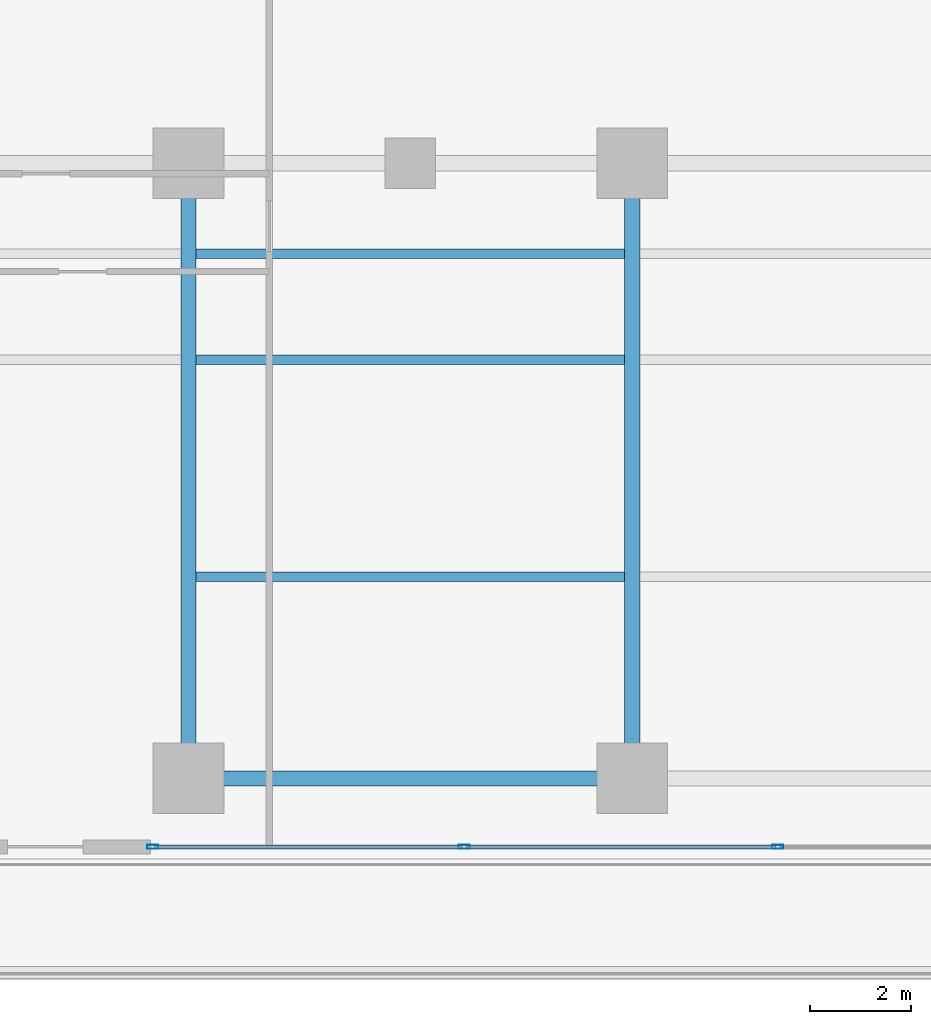
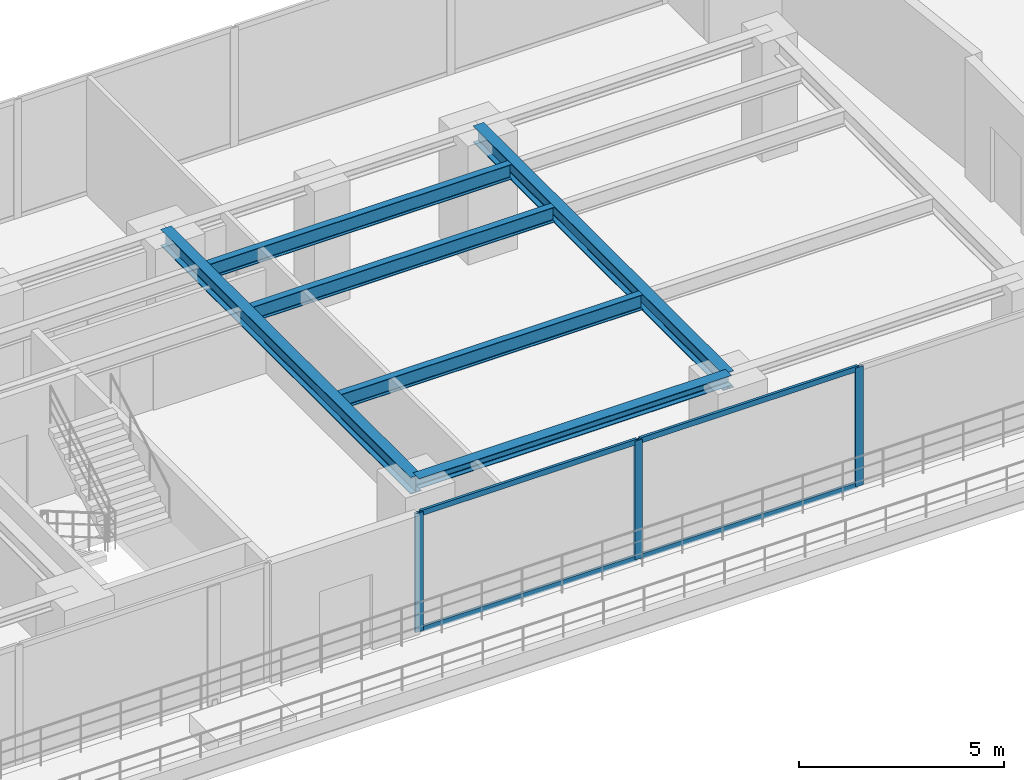
# One storey, part 9 of 26: 7 members, 6 beams, 1 element without a shape of its own.
"""IFC4 building model written with IfcOpenShell, lengths in metres."""

from ifc_helpers import new_model, si_unit, direction, frame, origin, origin_with_axes, origin_2d, place, context, subcontext, project, spatial, hollow_rectangle, i_section, extrude, source, transform, mapped, material, layer, layer_set, material_profile, profile_set, type_object, element, aggregate, save


model = new_model("IFC4")

# Units and contexts
model_context = context("Model", 3, precision=1e-05, world=origin(), true_north=direction((0.0, 1.0)))
body_context = subcontext(model_context, "Body", "Model", "MODEL_VIEW")
ifc_project = project(units=[si_unit("LENGTHUNIT", "METRE"), si_unit("AREAUNIT", "SQUARE_METRE"), si_unit("VOLUMEUNIT", "CUBIC_METRE"), si_unit("PLANEANGLEUNIT", "RADIAN"), si_unit("MASSUNIT", "GRAM", prefix="KILO")], contexts=[model_context])

# Site, building, storey
site_placement = place(None, origin())
site = spatial("IfcSite", under=ifc_project, at=site_placement, CompositionType="ELEMENT")
building_placement = place(site_placement, origin())
building = spatial("IfcBuilding", under=site, at=building_placement, Name="Kolvaren Waterfront Exchange", CompositionType="ELEMENT")
storey_placement = place(building_placement, frame((0.0, 0.0, 87.89990234375)))
storey = spatial("IfcBuildingStorey", under=building, at=storey_placement, Name="L22", CompositionType="ELEMENT", Elevation=87.89990234375)

# Beams
ifc_material_1 = material(Name="Steel S355", Category="steel")
ifc_material_profile_1 = material_profile(ifc_material_1, i_section(OverallWidth=0.300048828125, OverallDepth=0.300048828125, WebThickness=0.010986328125, FlangeThickness=0.01904296875, FilletRadius=0.027099609375, at=origin_2d()), Name="HEB300")
ifc_profile_set_1 = profile_set([ifc_material_profile_1], Name="Steel S355")
beam_type_1 = type_object("IfcBeamType", Name="STR-BM-HEB300", PredefinedType="SPANDREL", material=ifc_profile_set_1)
beam_placement = place(storey_placement, frame((36.800048828125, 5.199951171875, 3.39013671875), z_axis=(1.0, 0.0, 0.0), x_axis=(0.0, 1.0, 0.0)))
element("IfcBeam", 1, at=beam_placement, inside=storey, type_object=beam_type_1, Name="L22 east-arm spandrel S3", PredefinedType="SPANDREL", context=body_context, shape_type="SweptSolid", body=[
    extrude(i_section(OverallWidth=0.300048828125, OverallDepth=0.300048828125, WebThickness=0.010986328125, FlangeThickness=0.01904296875, FilletRadius=0.027099609375, at=origin_2d()), origin(), (0.0, 0.0, 1.0), 8.800048828125),
])
ifc_material_profile_2 = material_profile(ifc_material_1, i_section(OverallWidth=0.300048828125, OverallDepth=0.5, WebThickness=0.014404296875, FlangeThickness=0.028076171875, FilletRadius=0.027099609375, at=origin_2d()), Name="HEB500")
ifc_profile_set_2 = profile_set([ifc_material_profile_2], Name="Steel S355")
beam_type_2 = type_object("IfcBeamType", Name="STR-BM-HEB500", PredefinedType="BEAM", material=ifc_profile_set_2)
for number, where, z_axis, x_axis, name in (
    (2, (36.800048828125, 5.199951171875, 3.2900390625), (0.0, 1.0, 0.0), (-1.0, 0.0, 0.0), "L22 east-arm transverse girder X36"),
    (3, (45.60009765625, 5.199951171875, 3.2900390625), (0.0, 1.0, 0.0), (-1.0, 0.0, 0.0), "L22 east-arm transverse girder X45"),
):
    element("IfcBeam", number, at=place(storey_placement, frame(where, z_axis=z_axis, x_axis=x_axis)), inside=storey, type_object=beam_type_2, Name=name, PredefinedType="BEAM", context=body_context, shape_type="SweptSolid", body=[
        extrude(i_section(OverallWidth=0.300048828125, OverallDepth=0.5, WebThickness=0.014404296875, FlangeThickness=0.028076171875, FilletRadius=0.027099609375, at=origin_2d()), origin(), (0.0, 0.0, 1.0), 12.199951171875),
    ])
ifc_material_profile_3 = material_profile(ifc_material_1, i_section(OverallWidth=0.18994140625, OverallDepth=0.449951171875, WebThickness=0.009521484375, FlangeThickness=0.0146484375, FilletRadius=0.02099609375, at=origin_2d()), Name="IPE450")
ifc_profile_set_3 = profile_set([ifc_material_profile_3], Name="Steel S355")
beam_type_3 = type_object("IfcBeamType", Name="STR-BM-IPE450", PredefinedType="JOIST", material=ifc_profile_set_3)
for number, where, z_axis, x_axis, name in (
    (4, (36.951904296875, 13.5, 3.315185546875), (1.0, 0.0, 0.0), (0.0, 1.0, 0.0), "L22 east-arm composite joist 3A"),
    (5, (36.951904296875, 15.60009765625, 3.315185546875), (1.0, 0.0, 0.0), (0.0, 1.0, 0.0), "L22 east-arm composite joist 3C"),
    (6, (36.951904296875, 9.199951171875, 3.315185546875), (1.0, 0.0, 0.0), (0.0, 1.0, 0.0), "L22 east-arm composite joist 3B"),
):
    element("IfcBeam", number, at=place(storey_placement, frame(where, z_axis=z_axis, x_axis=x_axis)), inside=storey, type_object=beam_type_3, Name=name, PredefinedType="JOIST", context=body_context, shape_type="SweptSolid", body=[
        extrude(i_section(OverallWidth=0.18994140625, OverallDepth=0.449951171875, WebThickness=0.009521484375, FlangeThickness=0.0146484375, FilletRadius=0.02099609375, at=origin_2d()), origin(), (0.0, 0.0, 1.0), 8.49609375),
    ])

# Curtain wall, members
ifc_material_2 = material(Name="Anodised bronze aluminium 6063-T6", Category="aluminium")
ifc_layer = layer(ifc_material_2, 0.219970703125, Name="Anodised bronze aluminium 6063-T6")
ifc_layer_set = layer_set([ifc_layer], Name="Anodised bronze aluminium 6063-T6")
curtain_wall_type = type_object("IfcCurtainWallType", Name="ARC-CW-SYS1", PredefinedType="USERDEFINED", material=ifc_layer_set)
curtain_wall_placement = place(storey_placement, origin())
curtain_wall = element("IfcCurtainWall", 7, at=curtain_wall_placement, inside=storey, type_object=curtain_wall_type, Name="L22 stick curtain wall CW1 (CW-L22-S-2)", ObjectType="STICK CURTAIN WALL", PredefinedType="USERDEFINED")
ifc_material_3 = material(Name="Anodised aluminium 6063-T6", Category="aluminium")
ifc_material_profile_4 = material_profile(ifc_material_3, hollow_rectangle(XDim=0.080078125, YDim=0.219970703125, WallThickness=0.0048828125, at=origin_2d()), Name="ALU-MUL-220x80x5")
ifc_profile_set_4 = profile_set([ifc_material_profile_4], Name="Anodised aluminium 6063-T6")
member_type_1 = type_object("IfcMemberType", Name="ARC-CWM-220", PredefinedType="MULLION", material=ifc_profile_set_4)
shared_shape_1 = source(origin_with_axes(), body_context, "Body", "SweptSolid", [
    extrude(hollow_rectangle(XDim=0.080078125, YDim=0.219970703125, WallThickness=0.0048828125, at=origin_2d()), origin(), (0.0, 0.0, 1.0), 3.5400390625),
])
member_1_placement = place(storey_placement, frame((36.090087890625, 3.840087890625, 0.0), z_axis=(0.0, 0.0, 1.0), x_axis=(0.0, 1.0, 0.0)))
member_1 = element("IfcMember", 8, at=member_1_placement, type_object=member_type_1, Name="CW1 mullion 1", PredefinedType="MULLION", context=body_context, shape_type="MappedRepresentation", body=[
    mapped(shared_shape_1, transform((0.0, 0.0, 0.0), x_axis=(1.0, 0.0, 0.0), y_axis=(0.0, 1.0, 0.0), z_axis=(0.0, 0.0, 1.0), scale=1.0)),
])
member_2_placement = place(storey_placement, frame((42.2666015625, 3.840087890625, 0.0), z_axis=(0.0, 0.0, 1.0), x_axis=(0.0, 1.0, 0.0)))
member_2 = element("IfcMember", 9, at=member_2_placement, type_object=member_type_1, Name="CW1 mullion 2", PredefinedType="MULLION", context=body_context, shape_type="MappedRepresentation", body=[
    mapped(shared_shape_1, transform((0.0, 0.0, 0.0), x_axis=(1.0, 0.0, 0.0), y_axis=(0.0, 1.0, 0.0), z_axis=(0.0, 0.0, 1.0), scale=1.0)),
])
member_3_placement = place(storey_placement, frame((48.4833984375, 3.840087890625, 0.0), z_axis=(0.0, 0.0, 1.0), x_axis=(0.0, 1.0, 0.0)))
member_3 = element("IfcMember", 10, at=member_3_placement, type_object=member_type_1, Name="CW1 mullion 3", PredefinedType="MULLION", context=body_context, shape_type="MappedRepresentation", body=[
    mapped(shared_shape_1, transform((0.0, 0.0, 0.0), x_axis=(1.0, 0.0, 0.0), y_axis=(0.0, 1.0, 0.0), z_axis=(0.0, 0.0, 1.0), scale=1.0)),
])
ifc_material_profile_5 = material_profile(ifc_material_3, hollow_rectangle(XDim=0.074951171875, YDim=0.159912109375, WallThickness=0.00439453125, at=origin_2d()), Name="ALU-TRN-160x75x4.5")
ifc_profile_set_5 = profile_set([ifc_material_profile_5], Name="Anodised aluminium 6063-T6")
member_type_2 = type_object("IfcMemberType", Name="ARC-CWT-160", PredefinedType="USERDEFINED", material=ifc_profile_set_5)
shared_shape_2 = source(origin_with_axes(), body_context, "Body", "SweptSolid", [
    extrude(hollow_rectangle(XDim=0.074951171875, YDim=0.159912109375, WallThickness=0.00439453125, at=origin_2d()), origin(), (0.0, 0.0, 1.0), 6.0966796875),
])
member_4_placement = place(storey_placement, frame((36.1298828125, 3.840087890625, 0.03759765625), z_axis=(1.0, 0.0, 0.0), x_axis=(0.0, 1.0, 0.0)))
member_4 = element("IfcMember", 11, at=member_4_placement, type_object=member_type_2, Name="CW1 transom 1.1", ObjectType="TRANSOM", PredefinedType="USERDEFINED", context=body_context, shape_type="MappedRepresentation", body=[
    mapped(shared_shape_2, transform((0.0, 0.0, 0.0), x_axis=(1.0, 0.0, 0.0), y_axis=(0.0, 1.0, 0.0), z_axis=(0.0, 0.0, 1.0), scale=1.0)),
])
member_5_placement = place(storey_placement, frame((36.1298828125, 3.840087890625, 3.502685546875), z_axis=(1.0, 0.0, 0.0), x_axis=(0.0, 1.0, 0.0)))
member_5 = element("IfcMember", 12, at=member_5_placement, type_object=member_type_2, Name="CW1 transom 1.2", ObjectType="TRANSOM", PredefinedType="USERDEFINED", context=body_context, shape_type="MappedRepresentation", body=[
    mapped(shared_shape_2, transform((0.0, 0.0, 0.0), x_axis=(1.0, 0.0, 0.0), y_axis=(0.0, 1.0, 0.0), z_axis=(0.0, 0.0, 1.0), scale=1.0)),
])
shared_shape_3 = source(origin_with_axes(), body_context, "Body", "SweptSolid", [
    extrude(hollow_rectangle(XDim=0.074951171875, YDim=0.159912109375, WallThickness=0.00439453125, at=origin_2d()), origin(), (0.0, 0.0, 1.0), 6.13671875),
])
member_6_placement = place(storey_placement, frame((42.306640625, 3.840087890625, 0.03759765625), z_axis=(1.0, 0.0, 0.0), x_axis=(0.0, 1.0, 0.0)))
member_6 = element("IfcMember", 13, at=member_6_placement, type_object=member_type_2, Name="CW1 transom 2.1", ObjectType="TRANSOM", PredefinedType="USERDEFINED", context=body_context, shape_type="MappedRepresentation", body=[
    mapped(shared_shape_3, transform((0.0, 0.0, 0.0), x_axis=(1.0, 0.0, 0.0), y_axis=(0.0, 1.0, 0.0), z_axis=(0.0, 0.0, 1.0), scale=1.0)),
])
member_7_placement = place(storey_placement, frame((42.306640625, 3.840087890625, 3.502685546875), z_axis=(1.0, 0.0, 0.0), x_axis=(0.0, 1.0, 0.0)))
member_7 = element("IfcMember", 14, at=member_7_placement, type_object=member_type_2, Name="CW1 transom 2.2", ObjectType="TRANSOM", PredefinedType="USERDEFINED", context=body_context, shape_type="MappedRepresentation", body=[
    mapped(shared_shape_3, transform((0.0, 0.0, 0.0), x_axis=(1.0, 0.0, 0.0), y_axis=(0.0, 1.0, 0.0), z_axis=(0.0, 0.0, 1.0), scale=1.0)),
])
aggregate(curtain_wall, [member_1, member_2, member_3, member_4, member_5, member_6, member_7])

save(model, "model.ifc")
